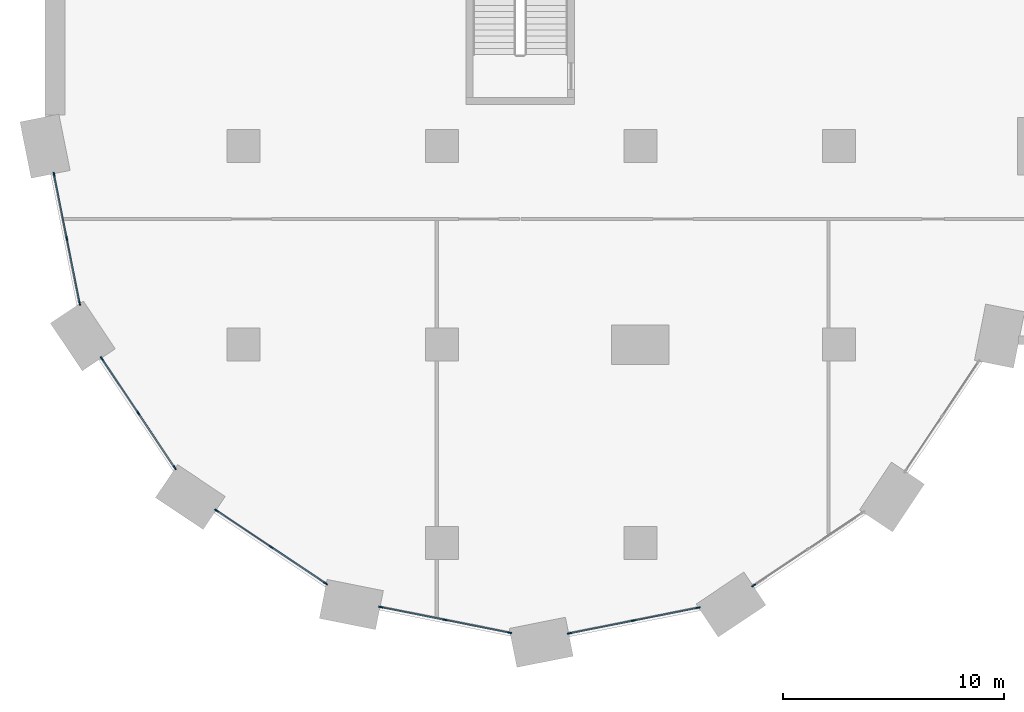
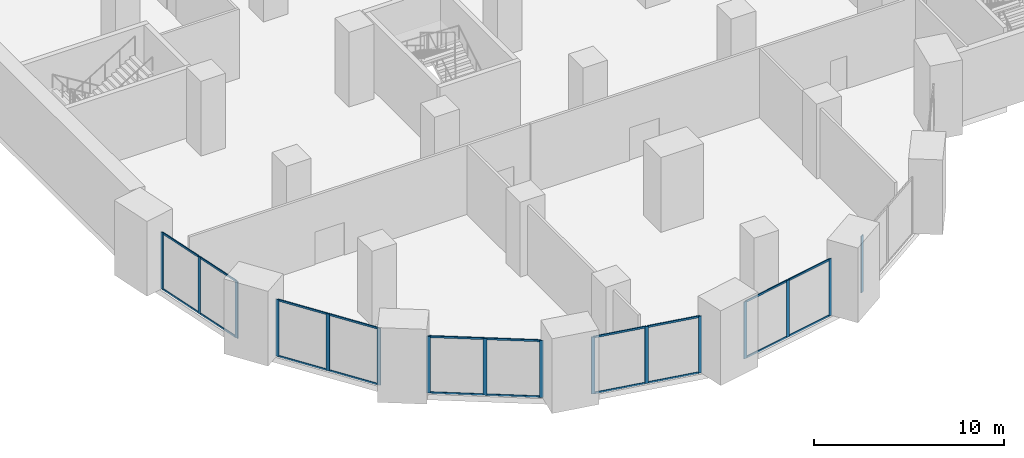
# One storey, part 3 of 31: 36 members, 6 elements without a shape of their own.
"""IFC4 building model written with IfcOpenShell, lengths in metres."""

from ifc_helpers import new_model, si_unit, direction, frame, origin, origin_2d, place, context, subcontext, project, spatial, rectangle, extrude, material, material_profile, profile_set, type_object, element, aggregate, save


model = new_model("IFC4")

# Units and contexts
model_context = context("Model", 3, precision=1e-05, world=origin(), true_north=direction((0.0, 1.0)))
body_context = subcontext(model_context, "Body", "Model", "MODEL_VIEW")
ifc_project = project(units=[si_unit("LENGTHUNIT", "METRE"), si_unit("AREAUNIT", "SQUARE_METRE"), si_unit("VOLUMEUNIT", "CUBIC_METRE"), si_unit("PLANEANGLEUNIT", "RADIAN"), si_unit("MASSUNIT", "GRAM", prefix="KILO")], contexts=[model_context])

# Site, building, storey
site_placement = place(None, origin())
site = spatial("IfcSite", under=ifc_project, at=site_placement, CompositionType="ELEMENT")
building_placement = place(site_placement, origin())
building = spatial("IfcBuilding", under=site, at=building_placement, Name="Hunhe Ridgeline Campus", CompositionType="ELEMENT")
storey_placement = place(building_placement, frame((0.0, 0.0, 16.800048828125)))
storey = spatial("IfcBuildingStorey", under=building, at=storey_placement, Name="L03", CompositionType="ELEMENT", Elevation=16.800048828125)

# Curtain wall, members
ifc_material_1 = material(Name="Aluminium and glass", Category="aluminium")
curtain_wall_type = type_object("IfcCurtainWallType", Name="Podium curtain wall CW-2", PredefinedType="NOTDEFINED", material=ifc_material_1)
curtain_wall_1_placement = place(storey_placement, origin())
curtain_wall_1 = element("IfcCurtainWall", 1, at=curtain_wall_1_placement, inside=storey, type_object=curtain_wall_type, Name="L03 podium curtain wall 9", PredefinedType="NOTDEFINED")
ifc_material_2 = material(Name="Aluminium", Category="aluminium")
ifc_material_profile_1 = material_profile(ifc_material_2, rectangle(XDim=0.06005859375, YDim=0.199951171875, at=origin_2d()))
ifc_profile_set_1 = profile_set([ifc_material_profile_1], Name="Aluminium")
member_type_1 = type_object("IfcMemberType", Name="CW-2 mullion 60x200", PredefinedType="MULLION", material=ifc_profile_set_1)
member_1_placement = place(storey_placement, frame((0.406494140625, 25.724853515625, 0.0), z_axis=(0.0, 0.0, 1.0), x_axis=(0.98078366193, 0.195098458454, 0.0)))
member_1 = element("IfcMember", 2, at=member_1_placement, type_object=member_type_1, Name="CW2 mullion 1", PredefinedType="MULLION", context=body_context, shape_type="SweptSolid", body=[
    extrude(rectangle(XDim=0.06005859375, YDim=0.199951171875, at=origin_2d()), origin(), (0.0, 0.0, 1.0), 3.64990234375),
])
member_2_placement = place(storey_placement, frame((0.987060546875, 22.80712890625, 0.0), z_axis=(0.0, 0.0, 1.0), x_axis=(0.98078366193, 0.195098458454, 0.0)))
member_2 = element("IfcMember", 3, at=member_2_placement, type_object=member_type_1, Name="CW2 mullion 2", PredefinedType="MULLION", context=body_context, shape_type="SweptSolid", body=[
    extrude(rectangle(XDim=0.06005859375, YDim=0.199951171875, at=origin_2d()), origin(), (0.0, 0.0, 1.0), 3.64990234375),
])
member_3_placement = place(storey_placement, frame((1.5673828125, 19.889404296875, 0.0), z_axis=(0.0, 0.0, 1.0), x_axis=(0.98078366193, 0.195098458454, 0.0)))
member_3 = element("IfcMember", 4, at=member_3_placement, type_object=member_type_1, Name="CW2 mullion 3", PredefinedType="MULLION", context=body_context, shape_type="SweptSolid", body=[
    extrude(rectangle(XDim=0.06005859375, YDim=0.199951171875, at=origin_2d()), origin(), (0.0, 0.0, 1.0), 3.64990234375),
])

curtain_wall_2_placement = place(storey_placement, origin())
curtain_wall_2 = element("IfcCurtainWall", 5, at=curtain_wall_2_placement, inside=storey, type_object=curtain_wall_type, Name="L03 podium curtain wall 10", PredefinedType="NOTDEFINED")
member_4_placement = place(storey_placement, frame((2.576416015625, 17.366943359375, 0.0), z_axis=(0.0, 0.0, 1.0), x_axis=(0.831463604177, 0.555579224709, 0.0)))
member_4 = element("IfcMember", 6, at=member_4_placement, type_object=member_type_1, Name="CW2 mullion 1", PredefinedType="MULLION", context=body_context, shape_type="SweptSolid", body=[
    extrude(rectangle(XDim=0.06005859375, YDim=0.199951171875, at=origin_2d()), origin(), (0.0, 0.0, 1.0), 3.64990234375),
])
member_5_placement = place(storey_placement, frame((4.229248046875, 14.8935546875, 0.0), z_axis=(0.0, 0.0, 1.0), x_axis=(0.831463604177, 0.555579224709, 0.0)))
member_5 = element("IfcMember", 7, at=member_5_placement, type_object=member_type_1, Name="CW2 mullion 2", PredefinedType="MULLION", context=body_context, shape_type="SweptSolid", body=[
    extrude(rectangle(XDim=0.06005859375, YDim=0.199951171875, at=origin_2d()), origin(), (0.0, 0.0, 1.0), 3.64990234375),
])
member_6_placement = place(storey_placement, frame((5.8818359375, 12.419921875, 0.0), z_axis=(0.0, 0.0, 1.0), x_axis=(0.831463604177, 0.555579224709, 0.0)))
member_6 = element("IfcMember", 8, at=member_6_placement, type_object=member_type_1, Name="CW2 mullion 3", PredefinedType="MULLION", context=body_context, shape_type="SweptSolid", body=[
    extrude(rectangle(XDim=0.06005859375, YDim=0.199951171875, at=origin_2d()), origin(), (0.0, 0.0, 1.0), 3.64990234375),
])

curtain_wall_3_placement = place(storey_placement, origin())
curtain_wall_3 = element("IfcCurtainWall", 9, at=curtain_wall_3_placement, inside=storey, type_object=curtain_wall_type, Name="L03 podium curtain wall 11", PredefinedType="NOTDEFINED")
member_7_placement = place(storey_placement, frame((7.779296875, 10.475830078125, 0.0), z_axis=(0.0, 0.0, 1.0), x_axis=(0.555571538247, 0.831468740176, 0.0)))
member_7 = element("IfcMember", 10, at=member_7_placement, type_object=member_type_1, Name="CW2 mullion 1", PredefinedType="MULLION", context=body_context, shape_type="SweptSolid", body=[
    extrude(rectangle(XDim=0.06005859375, YDim=0.199951171875, at=origin_2d()), origin(), (0.0, 0.0, 1.0), 3.64990234375),
])
member_8_placement = place(storey_placement, frame((10.252685546875, 8.8232421875, 0.0), z_axis=(0.0, 0.0, 1.0), x_axis=(0.555571538247, 0.831468740176, 0.0)))
member_8 = element("IfcMember", 11, at=member_8_placement, type_object=member_type_1, Name="CW2 mullion 2", PredefinedType="MULLION", context=body_context, shape_type="SweptSolid", body=[
    extrude(rectangle(XDim=0.06005859375, YDim=0.199951171875, at=origin_2d()), origin(), (0.0, 0.0, 1.0), 3.64990234375),
])
member_9_placement = place(storey_placement, frame((12.726318359375, 7.17041015625, 0.0), z_axis=(0.0, 0.0, 1.0), x_axis=(0.555571538247, 0.831468740176, 0.0)))
member_9 = element("IfcMember", 12, at=member_9_placement, type_object=member_type_1, Name="CW2 mullion 3", PredefinedType="MULLION", context=body_context, shape_type="SweptSolid", body=[
    extrude(rectangle(XDim=0.06005859375, YDim=0.199951171875, at=origin_2d()), origin(), (0.0, 0.0, 1.0), 3.64990234375),
])

curtain_wall_4_placement = place(storey_placement, origin())
curtain_wall_4 = element("IfcCurtainWall", 13, at=curtain_wall_4_placement, inside=storey, type_object=curtain_wall_type, Name="L03 podium curtain wall 12", PredefinedType="NOTDEFINED")
member_10_placement = place(storey_placement, frame((15.223388671875, 6.100341796875, 0.0), z_axis=(0.0, 0.0, 1.0), x_axis=(0.195079268527, 0.980787479014, 0.0)))
member_10 = element("IfcMember", 14, at=member_10_placement, type_object=member_type_1, Name="CW2 mullion 1", PredefinedType="MULLION", context=body_context, shape_type="SweptSolid", body=[
    extrude(rectangle(XDim=0.06005859375, YDim=0.199951171875, at=origin_2d()), origin(), (0.0, 0.0, 1.0), 3.64990234375),
])
member_11_placement = place(storey_placement, frame((18.14111328125, 5.52001953125, 0.0), z_axis=(0.0, 0.0, 1.0), x_axis=(0.195079268527, 0.980787479014, 0.0)))
member_11 = element("IfcMember", 15, at=member_11_placement, type_object=member_type_1, Name="CW2 mullion 2", PredefinedType="MULLION", context=body_context, shape_type="SweptSolid", body=[
    extrude(rectangle(XDim=0.06005859375, YDim=0.199951171875, at=origin_2d()), origin(), (0.0, 0.0, 1.0), 3.64990234375),
])
member_12_placement = place(storey_placement, frame((21.058837890625, 4.939697265625, 0.0), z_axis=(0.0, 0.0, 1.0), x_axis=(0.195079268527, 0.980787479014, 0.0)))
member_12 = element("IfcMember", 16, at=member_12_placement, type_object=member_type_1, Name="CW2 mullion 3", PredefinedType="MULLION", context=body_context, shape_type="SweptSolid", body=[
    extrude(rectangle(XDim=0.06005859375, YDim=0.199951171875, at=origin_2d()), origin(), (0.0, 0.0, 1.0), 3.64990234375),
])

curtain_wall_5_placement = place(storey_placement, origin())
curtain_wall_5 = element("IfcCurtainWall", 17, at=curtain_wall_5_placement, inside=storey, type_object=curtain_wall_type, Name="L03 podium curtain wall 13", PredefinedType="NOTDEFINED")
member_13_placement = place(storey_placement, frame((23.775146484375, 4.906494140625, 0.0), z_axis=(0.0, 0.0, 1.0), x_axis=(-0.195098458454, 0.98078366193, 0.0)))
member_13 = element("IfcMember", 18, at=member_13_placement, type_object=member_type_1, Name="CW2 mullion 1", PredefinedType="MULLION", context=body_context, shape_type="SweptSolid", body=[
    extrude(rectangle(XDim=0.06005859375, YDim=0.199951171875, at=origin_2d()), origin(), (0.0, 0.0, 1.0), 3.64990234375),
])
member_14_placement = place(storey_placement, frame((26.69287109375, 5.487060546875, 0.0), z_axis=(0.0, 0.0, 1.0), x_axis=(-0.195098458454, 0.98078366193, 0.0)))
member_14 = element("IfcMember", 19, at=member_14_placement, type_object=member_type_1, Name="CW2 mullion 2", PredefinedType="MULLION", context=body_context, shape_type="SweptSolid", body=[
    extrude(rectangle(XDim=0.06005859375, YDim=0.199951171875, at=origin_2d()), origin(), (0.0, 0.0, 1.0), 3.64990234375),
])
member_15_placement = place(storey_placement, frame((29.610595703125, 6.0673828125, 0.0), z_axis=(0.0, 0.0, 1.0), x_axis=(-0.195098458454, 0.98078366193, 0.0)))
member_15 = element("IfcMember", 20, at=member_15_placement, type_object=member_type_1, Name="CW2 mullion 3", PredefinedType="MULLION", context=body_context, shape_type="SweptSolid", body=[
    extrude(rectangle(XDim=0.06005859375, YDim=0.199951171875, at=origin_2d()), origin(), (0.0, 0.0, 1.0), 3.64990234375),
])

# Curtain wall, member
curtain_wall_6_placement = place(storey_placement, origin())
curtain_wall_6 = element("IfcCurtainWall", 21, at=curtain_wall_6_placement, inside=storey, type_object=curtain_wall_type, Name="L03 podium curtain wall 14", PredefinedType="NOTDEFINED")
member_16_placement = place(storey_placement, frame((32.133056640625, 7.076416015625, 0.0), z_axis=(0.0, 0.0, 1.0), x_axis=(-0.555579224709, 0.831463604177, 0.0)))
member_16 = element("IfcMember", 22, at=member_16_placement, type_object=member_type_1, Name="CW2 mullion 1", PredefinedType="MULLION", context=body_context, shape_type="SweptSolid", body=[
    extrude(rectangle(XDim=0.06005859375, YDim=0.199951171875, at=origin_2d()), origin(), (0.0, 0.0, 1.0), 3.64990234375),
])
aggregate(curtain_wall_6, [member_16])

# Member
ifc_material_profile_2 = material_profile(ifc_material_2, rectangle(XDim=0.06005859375, YDim=0.1201171875, at=origin_2d()))
ifc_profile_set_2 = profile_set([ifc_material_profile_2], Name="Aluminium")
member_type_2 = type_object("IfcMemberType", Name="CW-2 transom 60x120", PredefinedType="USERDEFINED", material=ifc_profile_set_2)
member_17_placement = place(storey_placement, frame((0.412353515625, 25.6953125, 0.030029296875), z_axis=(0.195149633653, -0.980773480721, 0.0), x_axis=(0.980773480721, 0.195149633653, 0.0)))
member_17 = element("IfcMember", 23, at=member_17_placement, type_object=member_type_2, Name="CW2 transom 1.1", ObjectType="TRANSOM", PredefinedType="USERDEFINED", context=body_context, shape_type="SweptSolid", body=[
    extrude(rectangle(XDim=0.06005859375, YDim=0.1201171875, at=origin_2d()), origin(), (0.0, 0.0, 1.0), 2.9150390625),
])

member_18_placement = place(storey_placement, frame((0.412353515625, 25.6953125, 3.619873046875), z_axis=(0.195149633653, -0.980773480721, 0.0), x_axis=(0.980773480721, 0.195149633653, 0.0)))
member_18 = element("IfcMember", 24, at=member_18_placement, type_object=member_type_2, Name="CW2 transom 1.2", ObjectType="TRANSOM", PredefinedType="USERDEFINED", context=body_context, shape_type="SweptSolid", body=[
    extrude(rectangle(XDim=0.06005859375, YDim=0.1201171875, at=origin_2d()), origin(), (0.0, 0.0, 1.0), 2.9150390625),
])

member_19_placement = place(storey_placement, frame((0.992919921875, 22.777587890625, 0.030029296875), z_axis=(0.195069066152, -0.980789508218, 0.0), x_axis=(0.980789508218, 0.195069066152, 0.0)))
member_19 = element("IfcMember", 25, at=member_19_placement, type_object=member_type_2, Name="CW2 transom 2.1", ObjectType="TRANSOM", PredefinedType="USERDEFINED", context=body_context, shape_type="SweptSolid", body=[
    extrude(rectangle(XDim=0.06005859375, YDim=0.1201171875, at=origin_2d()), origin(), (0.0, 0.0, 1.0), 2.914794921875),
])

member_20_placement = place(storey_placement, frame((0.992919921875, 22.777587890625, 3.619873046875), z_axis=(0.195069066152, -0.980789508218, 0.0), x_axis=(0.980789508218, 0.195069066152, 0.0)))
member_20 = element("IfcMember", 26, at=member_20_placement, type_object=member_type_2, Name="CW2 transom 2.2", ObjectType="TRANSOM", PredefinedType="USERDEFINED", context=body_context, shape_type="SweptSolid", body=[
    extrude(rectangle(XDim=0.06005859375, YDim=0.1201171875, at=origin_2d()), origin(), (0.0, 0.0, 1.0), 2.914794921875),
])

aggregate(curtain_wall_1, [member_1, member_2, member_3, member_17, member_18, member_19, member_20])

member_21_placement = place(storey_placement, frame((2.593017578125, 17.342041015625, 0.030029296875), z_axis=(0.55556969226, -0.831469973626, 0.0), x_axis=(0.831469973626, 0.55556969226, 0.0)))
member_21 = element("IfcMember", 27, at=member_21_placement, type_object=member_type_2, Name="CW2 transom 1.1", ObjectType="TRANSOM", PredefinedType="USERDEFINED", context=body_context, shape_type="SweptSolid", body=[
    extrude(rectangle(XDim=0.06005859375, YDim=0.1201171875, at=origin_2d()), origin(), (0.0, 0.0, 1.0), 2.914794921875),
])

member_22_placement = place(storey_placement, frame((2.593017578125, 17.342041015625, 3.619873046875), z_axis=(0.55556969226, -0.831469973626, 0.0), x_axis=(0.831469973626, 0.55556969226, 0.0)))
member_22 = element("IfcMember", 28, at=member_22_placement, type_object=member_type_2, Name="CW2 transom 1.2", ObjectType="TRANSOM", PredefinedType="USERDEFINED", context=body_context, shape_type="SweptSolid", body=[
    extrude(rectangle(XDim=0.06005859375, YDim=0.1201171875, at=origin_2d()), origin(), (0.0, 0.0, 1.0), 2.914794921875),
])

member_23_placement = place(storey_placement, frame((4.245849609375, 14.86865234375, 0.030029296875), z_axis=(0.55556969226, -0.831469973626, 0.0), x_axis=(0.831469973626, 0.55556969226, 0.0)))
member_23 = element("IfcMember", 29, at=member_23_placement, type_object=member_type_2, Name="CW2 transom 2.1", ObjectType="TRANSOM", PredefinedType="USERDEFINED", context=body_context, shape_type="SweptSolid", body=[
    extrude(rectangle(XDim=0.06005859375, YDim=0.1201171875, at=origin_2d()), origin(), (0.0, 0.0, 1.0), 2.914794921875),
])

member_24_placement = place(storey_placement, frame((4.245849609375, 14.86865234375, 3.619873046875), z_axis=(0.55556969226, -0.831469973626, 0.0), x_axis=(0.831469973626, 0.55556969226, 0.0)))
member_24 = element("IfcMember", 30, at=member_24_placement, type_object=member_type_2, Name="CW2 transom 2.2", ObjectType="TRANSOM", PredefinedType="USERDEFINED", context=body_context, shape_type="SweptSolid", body=[
    extrude(rectangle(XDim=0.06005859375, YDim=0.1201171875, at=origin_2d()), origin(), (0.0, 0.0, 1.0), 2.914794921875),
])

aggregate(curtain_wall_2, [member_4, member_5, member_6, member_21, member_22, member_23, member_24])

member_25_placement = place(storey_placement, frame((7.80419921875, 10.459228515625, 0.030029296875), z_axis=(0.831469973626, -0.55556969226, 0.0), x_axis=(0.55556969226, 0.831469973626, 0.0)))
member_25 = element("IfcMember", 31, at=member_25_placement, type_object=member_type_2, Name="CW2 transom 1.1", ObjectType="TRANSOM", PredefinedType="USERDEFINED", context=body_context, shape_type="SweptSolid", body=[
    extrude(rectangle(XDim=0.06005859375, YDim=0.1201171875, at=origin_2d()), origin(), (0.0, 0.0, 1.0), 2.914794921875),
])

member_26_placement = place(storey_placement, frame((7.80419921875, 10.459228515625, 3.619873046875), z_axis=(0.831469973626, -0.55556969226, 0.0), x_axis=(0.55556969226, 0.831469973626, 0.0)))
member_26 = element("IfcMember", 32, at=member_26_placement, type_object=member_type_2, Name="CW2 transom 1.2", ObjectType="TRANSOM", PredefinedType="USERDEFINED", context=body_context, shape_type="SweptSolid", body=[
    extrude(rectangle(XDim=0.06005859375, YDim=0.1201171875, at=origin_2d()), origin(), (0.0, 0.0, 1.0), 2.914794921875),
])

member_27_placement = place(storey_placement, frame((10.27783203125, 8.806396484375, 0.030029296875), z_axis=(0.831469973626, -0.55556969226, 0.0), x_axis=(0.55556969226, 0.831469973626, 0.0)))
member_27 = element("IfcMember", 33, at=member_27_placement, type_object=member_type_2, Name="CW2 transom 2.1", ObjectType="TRANSOM", PredefinedType="USERDEFINED", context=body_context, shape_type="SweptSolid", body=[
    extrude(rectangle(XDim=0.06005859375, YDim=0.1201171875, at=origin_2d()), origin(), (0.0, 0.0, 1.0), 2.914794921875),
])

member_28_placement = place(storey_placement, frame((10.27783203125, 8.806396484375, 3.619873046875), z_axis=(0.831469973626, -0.55556969226, 0.0), x_axis=(0.55556969226, 0.831469973626, 0.0)))
member_28 = element("IfcMember", 34, at=member_28_placement, type_object=member_type_2, Name="CW2 transom 2.2", ObjectType="TRANSOM", PredefinedType="USERDEFINED", context=body_context, shape_type="SweptSolid", body=[
    extrude(rectangle(XDim=0.06005859375, YDim=0.1201171875, at=origin_2d()), origin(), (0.0, 0.0, 1.0), 2.914794921875),
])

aggregate(curtain_wall_3, [member_7, member_8, member_9, member_25, member_26, member_27, member_28])

member_29_placement = place(storey_placement, frame((15.252685546875, 6.094482421875, 0.030029296875), z_axis=(0.980789508218, -0.195069066152, 0.0), x_axis=(0.195069066152, 0.980789508218, 0.0)))
member_29 = element("IfcMember", 35, at=member_29_placement, type_object=member_type_2, Name="CW2 transom 1.1", ObjectType="TRANSOM", PredefinedType="USERDEFINED", context=body_context, shape_type="SweptSolid", body=[
    extrude(rectangle(XDim=0.06005859375, YDim=0.1201171875, at=origin_2d()), origin(), (0.0, 0.0, 1.0), 2.914794921875),
])

member_30_placement = place(storey_placement, frame((15.252685546875, 6.094482421875, 3.619873046875), z_axis=(0.980789508218, -0.195069066152, 0.0), x_axis=(0.195069066152, 0.980789508218, 0.0)))
member_30 = element("IfcMember", 36, at=member_30_placement, type_object=member_type_2, Name="CW2 transom 1.2", ObjectType="TRANSOM", PredefinedType="USERDEFINED", context=body_context, shape_type="SweptSolid", body=[
    extrude(rectangle(XDim=0.06005859375, YDim=0.1201171875, at=origin_2d()), origin(), (0.0, 0.0, 1.0), 2.914794921875),
])

member_31_placement = place(storey_placement, frame((18.17041015625, 5.51416015625, 0.030029296875), z_axis=(0.980792694926, -0.195053042992, 0.0), x_axis=(0.195053042992, 0.980792694926, 0.0)))
member_31 = element("IfcMember", 37, at=member_31_placement, type_object=member_type_2, Name="CW2 transom 2.1", ObjectType="TRANSOM", PredefinedType="USERDEFINED", context=body_context, shape_type="SweptSolid", body=[
    extrude(rectangle(XDim=0.06005859375, YDim=0.1201171875, at=origin_2d()), origin(), (0.0, 0.0, 1.0), 2.9150390625),
])

member_32_placement = place(storey_placement, frame((18.17041015625, 5.51416015625, 3.619873046875), z_axis=(0.980792694926, -0.195053042992, 0.0), x_axis=(0.195053042992, 0.980792694926, 0.0)))
member_32 = element("IfcMember", 38, at=member_32_placement, type_object=member_type_2, Name="CW2 transom 2.2", ObjectType="TRANSOM", PredefinedType="USERDEFINED", context=body_context, shape_type="SweptSolid", body=[
    extrude(rectangle(XDim=0.06005859375, YDim=0.1201171875, at=origin_2d()), origin(), (0.0, 0.0, 1.0), 2.9150390625),
])

aggregate(curtain_wall_4, [member_10, member_11, member_12, member_29, member_30, member_31, member_32])

member_33_placement = place(storey_placement, frame((23.8046875, 4.912353515625, 0.030029296875), z_axis=(0.980773480721, 0.195149633653, 0.0), x_axis=(-0.195149633653, 0.980773480721, 0.0)))
member_33 = element("IfcMember", 39, at=member_33_placement, type_object=member_type_2, Name="CW2 transom 1.1", ObjectType="TRANSOM", PredefinedType="USERDEFINED", context=body_context, shape_type="SweptSolid", body=[
    extrude(rectangle(XDim=0.06005859375, YDim=0.1201171875, at=origin_2d()), origin(), (0.0, 0.0, 1.0), 2.9150390625),
])

member_34_placement = place(storey_placement, frame((23.8046875, 4.912353515625, 3.619873046875), z_axis=(0.980773480721, 0.195149633653, 0.0), x_axis=(-0.195149633653, 0.980773480721, 0.0)))
member_34 = element("IfcMember", 40, at=member_34_placement, type_object=member_type_2, Name="CW2 transom 1.2", ObjectType="TRANSOM", PredefinedType="USERDEFINED", context=body_context, shape_type="SweptSolid", body=[
    extrude(rectangle(XDim=0.06005859375, YDim=0.1201171875, at=origin_2d()), origin(), (0.0, 0.0, 1.0), 2.9150390625),
])

member_35_placement = place(storey_placement, frame((26.722412109375, 5.492919921875, 0.030029296875), z_axis=(0.980789508218, 0.195069066152, 0.0), x_axis=(-0.195069066152, 0.980789508218, 0.0)))
member_35 = element("IfcMember", 41, at=member_35_placement, type_object=member_type_2, Name="CW2 transom 2.1", ObjectType="TRANSOM", PredefinedType="USERDEFINED", context=body_context, shape_type="SweptSolid", body=[
    extrude(rectangle(XDim=0.06005859375, YDim=0.1201171875, at=origin_2d()), origin(), (0.0, 0.0, 1.0), 2.914794921875),
])

member_36_placement = place(storey_placement, frame((26.722412109375, 5.492919921875, 3.619873046875), z_axis=(0.980789508218, 0.195069066152, 0.0), x_axis=(-0.195069066152, 0.980789508218, 0.0)))
member_36 = element("IfcMember", 42, at=member_36_placement, type_object=member_type_2, Name="CW2 transom 2.2", ObjectType="TRANSOM", PredefinedType="USERDEFINED", context=body_context, shape_type="SweptSolid", body=[
    extrude(rectangle(XDim=0.06005859375, YDim=0.1201171875, at=origin_2d()), origin(), (0.0, 0.0, 1.0), 2.914794921875),
])

aggregate(curtain_wall_5, [member_13, member_14, member_15, member_33, member_34, member_35, member_36])

save(model, "model.ifc")
